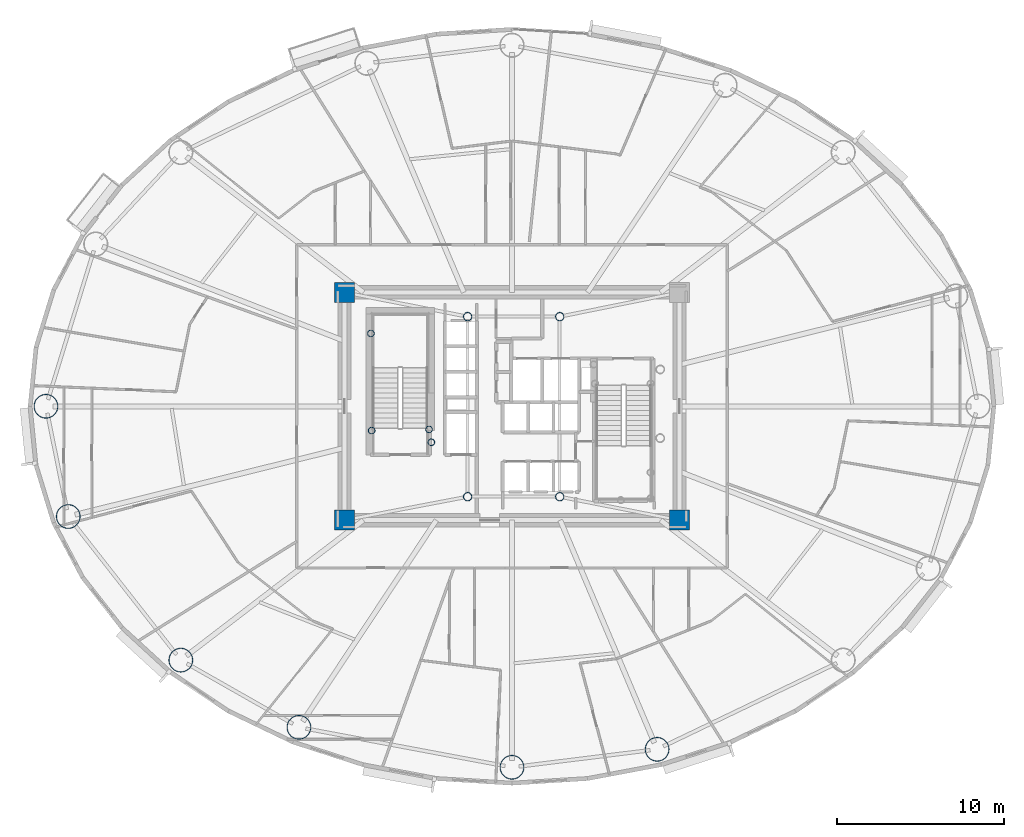
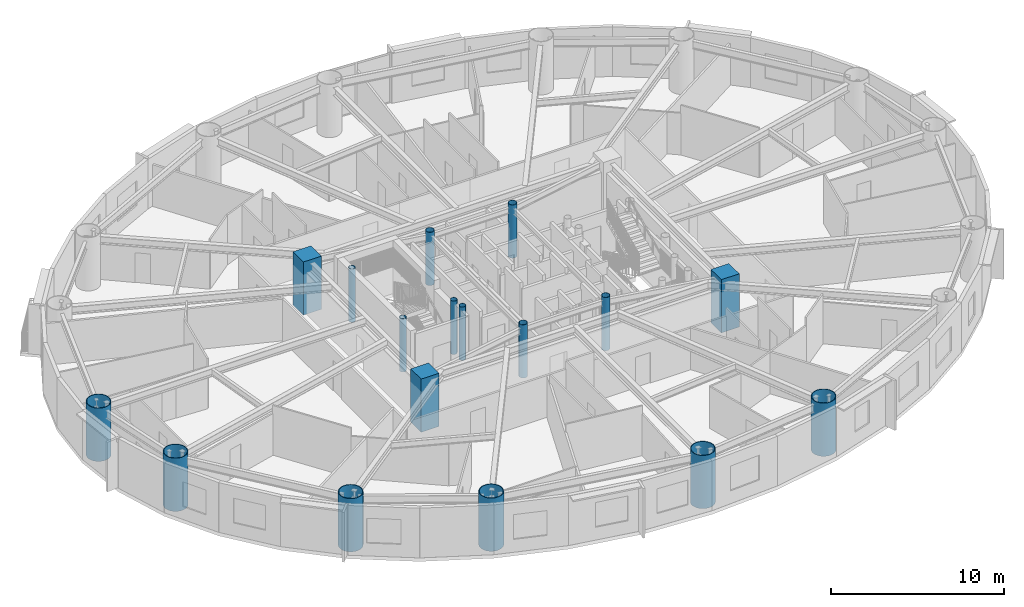
# One storey, part 1 of 19: 17 columns.
"""IFC4 building model written with IfcOpenShell, lengths in metres."""

from ifc_helpers import new_model, si_unit, direction, frame, origin, origin_2d, place, context, subcontext, project, spatial, rectangle, hollow_circle, extrude, material, material_profile, profile_set, type_object, element, save


model = new_model("IFC4")

# Units and contexts
model_context = context("Model", 3, precision=1e-05, world=origin(), true_north=direction((0.0, 1.0)))
body_context = subcontext(model_context, "Body", "Model", "MODEL_VIEW")
ifc_project = project(units=[si_unit("LENGTHUNIT", "METRE"), si_unit("AREAUNIT", "SQUARE_METRE"), si_unit("VOLUMEUNIT", "CUBIC_METRE"), si_unit("PLANEANGLEUNIT", "RADIAN"), si_unit("MASSUNIT", "GRAM", prefix="KILO")], contexts=[model_context])

# Site, building, storey
site_placement = place(None, origin())
site = spatial("IfcSite", under=ifc_project, at=site_placement, CompositionType="ELEMENT")
building_placement = place(site_placement, origin())
building = spatial("IfcBuilding", under=site, at=building_placement, Name="Linh Dai School and Residence Tower", CompositionType="ELEMENT")
storey_placement = place(building_placement, frame((0.0, 0.0, 119.699951171875)))
storey = spatial("IfcBuildingStorey", under=building, at=storey_placement, Name="L28", CompositionType="ELEMENT", Elevation=119.699951171875)

# Columns
ifc_material_1 = material(Name="Concrete B60 (C50/60)", Category="concrete")
ifc_material_profile_1 = material_profile(ifc_material_1, rectangle(XDim=1.199951171875, YDim=1.199951171875, at=origin_2d()), Name="RC 1200x1200")
ifc_profile_set_1 = profile_set([ifc_material_profile_1], Name="Concrete B60 (C50/60)")
column_type_1 = type_object("IfcColumnType", Name="COL-CC2", PredefinedType="COLUMN", material=ifc_profile_set_1)
for number, where, z_axis, x_axis, name in (
    (1, (26.0, 20.199951171875, 0.0), (0.0, 0.0, 1.0), (1.0, 0.0, 0.0), "L28 Core Corner Pier CC1"),
    (2, (46.0, 20.199951171875, 0.0), (0.0, 0.0, 1.0), (1.0, 0.0, 0.0), "L28 Core Corner Pier CC2"),
    (3, (26.0, 33.800048828125, 0.0), (0.0, 0.0, 1.0), (1.0, 0.0, 0.0), "L28 Core Corner Pier CC4"),
):
    element("IfcColumn", number, at=place(storey_placement, frame(where, z_axis=z_axis, x_axis=x_axis)), inside=storey, type_object=column_type_1, Name=name, PredefinedType="COLUMN", context=body_context, shape_type="SweptSolid", body=[
        extrude(rectangle(XDim=1.199951171875, YDim=1.199951171875, at=origin_2d()), origin(), (0.0, 0.0, 1.0), 3.75),
    ])
ifc_material_2 = material(Name="Structural Steel S355JR", Category="steel")
ifc_material_profile_2 = material_profile(ifc_material_2, hollow_circle(Radius=0.203125, WallThickness=0.01611328125, at=origin_2d()), Name="CHS 406.4x16")
ifc_profile_set_2 = profile_set([ifc_material_profile_2], Name="Structural Steel S355JR")
column_type_2 = type_object("IfcColumnType", Name="COL-EC", PredefinedType="COLUMN", material=ifc_profile_set_2)
for number, where, z_axis, x_axis, name in (
    (4, (27.580078125, 31.35009765625, 0.0), (0.0, 0.0, 1.0), (1.0, 0.0, 0.0), "L28 Stair Shaft Landing Support Pier ST1NW"),
    (5, (31.050048828125, 25.6201171875, 0.0), (0.0, 0.0, 1.0), (1.0, 0.0, 0.0), "L28 Stair Shaft Landing Support Pier ST1SE"),
    (6, (31.179931640625, 24.85009765625, 0.0), (0.0, 0.0, 1.0), (1.0, 0.0, 0.0), "L28 Stair Shaft Landing Support Pier ST1SM"),
    (7, (27.6201171875, 25.550048828125, 0.0), (0.0, 0.0, 1.0), (1.0, 0.0, 0.0), "L28 Stair Shaft Landing Support Pier ST1SW"),
):
    element("IfcColumn", number, at=place(storey_placement, frame(where, z_axis=z_axis, x_axis=x_axis)), inside=storey, type_object=column_type_2, Name=name, PredefinedType="COLUMN", context=body_context, shape_type="SweptSolid", body=[
        extrude(hollow_circle(Radius=0.203125, WallThickness=0.01611328125, at=origin_2d()), origin(), (0.0, 0.0, 1.0), 3.75),
    ])
ifc_material_profile_3 = material_profile(ifc_material_2, hollow_circle(Radius=0.72509765625, WallThickness=0.0419921875, at=origin_2d()), Name="CHS 1450x42")
ifc_profile_set_3 = profile_set([ifc_material_profile_3], Name="Structural Steel S355JR")
column_type_3 = type_object("IfcColumnType", Name="COL-MC3", PredefinedType="COLUMN", material=ifc_profile_set_3)
for number, where, z_axis, x_axis, name in (
    (8, (8.175048828125, 27.0, 0.0), (0.0, 0.0, 1.0), (1.0, 0.0, 0.0), "L28 Perimeter CFT Mega-Column MC09"),
    (9, (9.50732421875, 20.4189453125, 0.0), (0.0, 0.0, 1.0), (1.0, 0.0, 0.0), "L28 Perimeter CFT Mega-Column MC10"),
    (10, (16.227294921875, 11.844482421875, 0.0), (0.0, 0.0, 1.0), (1.0, 0.0, 0.0), "L28 Perimeter CFT Mega-Column MC11"),
    (11, (23.278076171875, 7.8349609375, 0.0), (0.0, 0.0, 1.0), (1.0, 0.0, 0.0), "L28 Perimeter CFT Mega-Column MC12"),
    (12, (36.0, 5.445068359375, 0.0), (0.0, 0.0, 1.0), (1.0, 0.0, 0.0), "L28 Perimeter CFT Mega-Column MC13"),
    (13, (44.66552734375, 6.519287109375, 0.0), (0.0, 0.0, 1.0), (1.0, 0.0, 0.0), "L28 Perimeter CFT Mega-Column MC14"),
):
    element("IfcColumn", number, at=place(storey_placement, frame(where, z_axis=z_axis, x_axis=x_axis)), inside=storey, type_object=column_type_3, Name=name, PredefinedType="COLUMN", context=body_context, shape_type="SweptSolid", body=[
        extrude(hollow_circle(Radius=0.72509765625, WallThickness=0.0419921875, at=origin_2d()), origin(), (0.0, 0.0, 1.0), 3.75),
    ])
ifc_material_profile_4 = material_profile(ifc_material_2, hollow_circle(Radius=0.25390625, WallThickness=0.02001953125, at=origin_2d()), Name="CHS 508x20")
ifc_profile_set_4 = profile_set([ifc_material_profile_4], Name="Structural Steel S355JR")
column_type_4 = type_object("IfcColumnType", Name="COL-MCP", PredefinedType="COLUMN", material=ifc_profile_set_4)
for number, where, z_axis, x_axis, name in (
    (14, (33.35009765625, 21.60009765625, 0.0), (0.0, 0.0, 1.0), (1.0, 0.0, 0.0), "L28 Core Mast Support Pier MCP1"),
    (15, (38.85009765625, 21.60009765625, 0.0), (0.0, 0.0, 1.0), (1.0, 0.0, 0.0), "L28 Core Mast Support Pier MCP2"),
    (16, (38.85009765625, 32.35009765625, 0.0), (0.0, 0.0, 1.0), (1.0, 0.0, 0.0), "L28 Core Mast Support Pier MCP3"),
    (17, (33.35009765625, 32.35009765625, 0.0), (0.0, 0.0, 1.0), (1.0, 0.0, 0.0), "L28 Core Mast Support Pier MCP4"),
):
    element("IfcColumn", number, at=place(storey_placement, frame(where, z_axis=z_axis, x_axis=x_axis)), inside=storey, type_object=column_type_4, Name=name, PredefinedType="COLUMN", context=body_context, shape_type="SweptSolid", body=[
        extrude(hollow_circle(Radius=0.25390625, WallThickness=0.02001953125, at=origin_2d()), origin(), (0.0, 0.0, 1.0), 3.75),
    ])

save(model, "model.ifc")
